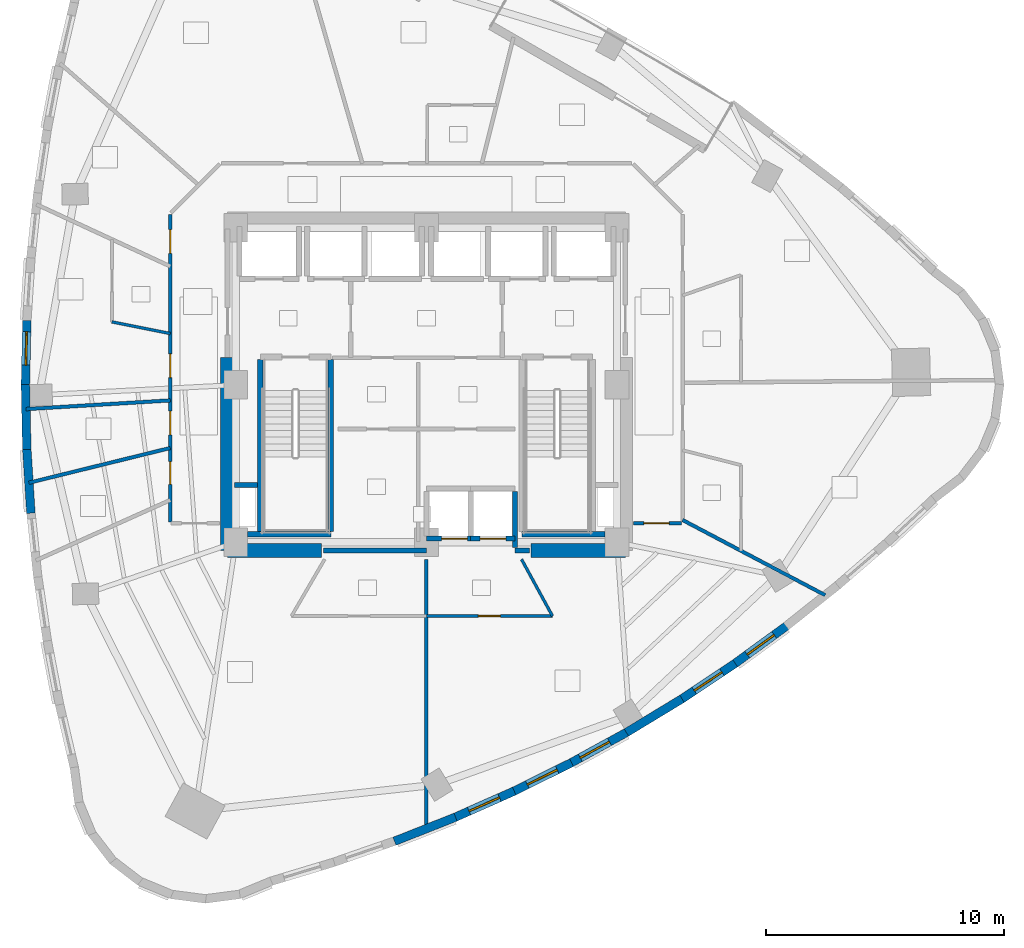
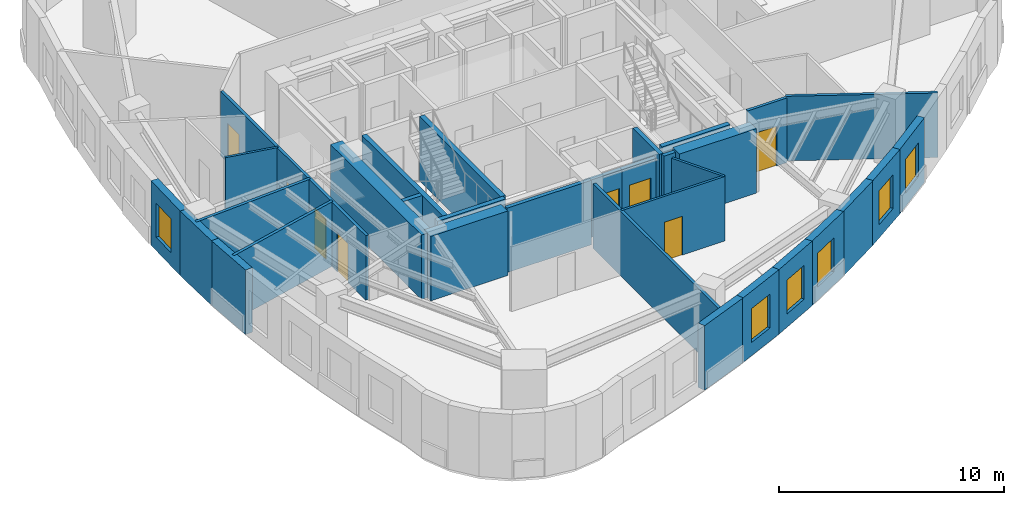
# One storey, part 7 of 13: 32 walls, 8 doors, 6 windows, 14 openings.
"""IFC4 building model written with IfcOpenShell, lengths in metres."""

import ifcopenshell
import ifcopenshell.guid

model = None  # the IFC model being written
_history = None  # IfcOwnerHistory: only IFC2X3 demands one
_inside = {}  # id of a spatial element -> (the spatial element, [elements in it])
_under = {}  # id of a project, library or spatial element -> (it, [spatial elements below it])
_declared = {}  # id of a project -> (the project, [libraries it declares])
_typed = {}  # id of a type object -> (the type object, [elements of that type])
_made_of = {}  # id of a material, layer set ... -> (it, [elements and type objects made of it])


def new_model(schema):
    """Start an empty IFC model of exactly this schema.

    Asked for "IFC4X3", IfcOpenShell would pick the latest addendum, in which some entities
    have other attributes; the version numbers below select the first issue.
    IFC2X3 requires an IfcOwnerHistory on every rooted entity: one is made here for all.
    """
    global model, _history
    if schema == "IFC4X3":
        model = ifcopenshell.file(schema_version=(4, 3, 0, 0))
    else:
        model = ifcopenshell.file(schema=schema)
    _inside.clear()
    _under.clear()
    _declared.clear()
    _typed.clear()
    _made_of.clear()
    _history = None
    if model.schema == "IFC2X3":
        org = make("IfcOrganization", Name="unknown")
        user = make(
            "IfcPersonAndOrganization",
            ThePerson=make("IfcPerson", FamilyName="unknown"),
            TheOrganization=org,
        )
        app = make(
            "IfcApplication",
            ApplicationDeveloper=org,
            Version="unknown",
            ApplicationFullName="unknown",
            ApplicationIdentifier="unknown",
        )
        _history = make(
            "IfcOwnerHistory",
            OwningUser=user,
            OwningApplication=app,
            ChangeAction="ADDED",
            CreationDate=0,
        )
    return model


def make(cls, **values):
    """One entity of the class cls with the attributes given. An attribute that is None is left unset."""
    return model.create_entity(
        cls, **{name: value for name, value in values.items() if value is not None}
    )


def rooted(cls, **values):
    """An entity with a GlobalId (a new one), such as an element, a storey or a relation."""
    return make(cls, GlobalId=ifcopenshell.guid.new(), OwnerHistory=_history, **values)


def si_unit(unit_type, name, prefix=None):
    """IfcSIUnit, for example si_unit("LENGTHUNIT", "METRE", prefix="MILLI")."""
    return make("IfcSIUnit", UnitType=unit_type, Prefix=prefix, Name=name)


def assignment(units):
    """IfcUnitAssignment: the units of a project."""
    return None if units is None else make("IfcUnitAssignment", Units=units)


def point(xyz):
    """IfcCartesianPoint."""
    return None if xyz is None else make("IfcCartesianPoint", Coordinates=xyz)


def direction(xyz):
    """IfcDirection."""
    return None if xyz is None else make("IfcDirection", DirectionRatios=xyz)


def frame(location, z_axis=None, x_axis=None):
    """IfcAxis2Placement3D, a coordinate frame: its origin and axes. An axis left out is left unset."""
    return make(
        "IfcAxis2Placement3D",
        Location=point(location),
        Axis=direction(z_axis),
        RefDirection=direction(x_axis),
    )


def frame_2d(location, x_axis=None):
    """IfcAxis2Placement2D, a coordinate frame in the plane: its origin and x axis."""
    return make(
        "IfcAxis2Placement2D", Location=point(location), RefDirection=direction(x_axis)
    )


def origin():
    """The frame at (0, 0, 0) with its axes left unset."""
    return frame((0.0, 0.0, 0.0))


def place(relative_to, where):
    """IfcLocalPlacement: puts the frame where relative to a parent placement (None: the world)."""
    return make(
        "IfcLocalPlacement", PlacementRelTo=relative_to, RelativePlacement=where
    )


def context(
    kind, dimensions, precision=None, world=None, true_north=None, identifier=None
):
    """IfcGeometricRepresentationContext, for example the 3D "Model" context."""
    return make(
        "IfcGeometricRepresentationContext",
        ContextIdentifier=identifier,
        ContextType=kind,
        CoordinateSpaceDimension=dimensions,
        Precision=precision,
        WorldCoordinateSystem=world,
        TrueNorth=true_north,
    )


def subcontext(parent, identifier, kind, view, scale=None):
    """IfcGeometricRepresentationSubContext, for example "Body" below "Model"."""
    return make(
        "IfcGeometricRepresentationSubContext",
        ContextIdentifier=identifier,
        ContextType=kind,
        ParentContext=parent,
        TargetScale=scale,
        TargetView=view,
    )


def project(units=None, contexts=None):
    """IfcProject with its units and contexts."""
    return rooted(
        "IfcProject",
        Name="project",
        RepresentationContexts=contexts,
        UnitsInContext=assignment(units),
    )


def spatial(cls, under=None, at=None, **own):
    """A site, building, storey or space (cls), placed at a placement, below another one or the project."""
    s = rooted(cls, ObjectPlacement=at, **own)
    if under is not None:
        _under.setdefault(under.id(), (under, []))[1].append(s)
    return s


def profile(cls, at=None, kind="AREA", **sizes):
    """A parametric profile (cls). Its sizes go by their IFC names, for example OverallWidth=200.0."""
    return make(cls, ProfileType=kind, Position=at, **sizes)


def rectangle(**sizes):
    """IfcRectangleProfileDef."""
    return profile("IfcRectangleProfileDef", **sizes)


def extrude(swept, where, along, depth):
    """IfcExtrudedAreaSolid: the profile swept, set in the frame where, extruded along a direction by depth."""
    return make(
        "IfcExtrudedAreaSolid",
        SweptArea=swept,
        Position=where,
        ExtrudedDirection=direction(along),
        Depth=depth,
    )


def shape(context_of_items, identifier, shape_type, items):
    """IfcShapeRepresentation: the items that make up one representation, for example the "Body"."""
    return make(
        "IfcShapeRepresentation",
        ContextOfItems=context_of_items,
        RepresentationIdentifier=identifier,
        RepresentationType=shape_type,
        Items=items,
    )


def material(Name=None, Category=None):
    """IfcMaterial."""
    return make("IfcMaterial", Name=Name, Category=Category)


def layer(
    of_material, thickness, ventilated=None, Name=None, Category=None, Priority=None
):
    """IfcMaterialLayer: one layer of a wall or slab, of a material (None: an air gap)."""
    return make(
        "IfcMaterialLayer",
        Material=of_material,
        LayerThickness=thickness,
        IsVentilated=ventilated,
        Name=Name,
        Category=Category,
        Priority=Priority,
    )


def layer_set(layers, Name=None):
    """IfcMaterialLayerSet."""
    return make("IfcMaterialLayerSet", MaterialLayers=layers, LayerSetName=Name)


def made_of(thing, what):
    """Note that an element or type object is made of a material, layer set ...; save() writes the relation."""
    if what is not None:
        _made_of.setdefault(what.id(), (what, []))[1].append(thing)
    return thing


def type_object(cls, material=None, **own):
    """A type object (cls), such as IfcWallType, which elements share."""
    return made_of(rooted(cls, **own), material)


def element(
    cls,
    number,
    at=None,
    inside=None,
    cuts=None,
    type_object=None,
    material=None,
    context=None,
    identifier="Body",
    shape_type=None,
    held_by="IfcProductDefinitionShape",
    body=None,
    shapes=None,
    **own,
):
    """One element of the class cls, such as IfcWall. Its Tag is "e" and its number.

    at: its placement. inside: the storey or other place that contains it. cuts: it is an
    opening in that element (IfcRelVoidsElement). A single representation is given by context,
    identifier, shape_type and body (its items); several are given by shapes. held_by: the class
    of the entity that holds the representations. save() writes the other relations.
    """
    e = rooted(cls, Tag="e%d" % number, ObjectPlacement=at, **own)
    if body is not None:
        shapes = [shape(context, identifier, shape_type, body)]
    if shapes is not None:
        e.Representation = make(held_by, Representations=shapes)
    if inside is not None:
        _inside.setdefault(inside.id(), (inside, []))[1].append(e)
    if cuts is not None:
        rooted(
            "IfcRelVoidsElement", RelatingBuildingElement=cuts, RelatedOpeningElement=e
        )
    if type_object is not None:
        _typed.setdefault(type_object.id(), (type_object, []))[1].append(e)
    return made_of(e, material)


def fill(opening, filler):
    """IfcRelFillsElement: the door or window that sits in an opening."""
    return rooted(
        "IfcRelFillsElement",
        RelatingOpeningElement=opening,
        RelatedBuildingElement=filler,
    )


def aggregate(whole, parts):
    """IfcRelAggregates: a whole, such as a stair, and the parts it consists of."""
    return rooted("IfcRelAggregates", RelatingObject=whole, RelatedObjects=parts)


def save(model, path):
    """Write the relations noted so far, then the file.

    IfcRelAggregates (storeys below a building ...), IfcRelContainedInSpatialStructure (elements
    in a storey), IfcRelDefinesByType, IfcRelAssociatesMaterial and IfcRelDeclares: one each for
    every whole, place, type object, material and project.
    """
    for whole, parts in _under.values():
        aggregate(whole, parts)
    for where, things in _inside.values():
        rooted(
            "IfcRelContainedInSpatialStructure",
            RelatedElements=things,
            RelatingStructure=where,
        )
    for kind, things in _typed.values():
        rooted("IfcRelDefinesByType", RelatedObjects=things, RelatingType=kind)
    for what, things in _made_of.values():
        rooted("IfcRelAssociatesMaterial", RelatedObjects=things, RelatingMaterial=what)
    for by, libraries in _declared.values():
        rooted("IfcRelDeclares", RelatingContext=by, RelatedDefinitions=libraries)
    model.write(path)


model = new_model("IFC4")

# Units and contexts
model_context = context("Model", 3, precision=1e-05, world=origin(), true_north=direction((0.0, 1.0)))
body_context = subcontext(model_context, "Body", "Model", "MODEL_VIEW")
ifc_project = project(units=[si_unit("LENGTHUNIT", "METRE"), si_unit("AREAUNIT", "SQUARE_METRE"), si_unit("VOLUMEUNIT", "CUBIC_METRE"), si_unit("PLANEANGLEUNIT", "RADIAN"), si_unit("MASSUNIT", "GRAM", prefix="KILO")], contexts=[model_context])

# Site, building, storey
site_placement = place(None, origin())
site = spatial("IfcSite", under=ifc_project, at=site_placement, CompositionType="ELEMENT")
building_placement = place(site_placement, origin())
building = spatial("IfcBuilding", under=site, at=building_placement, Name="Ndelora Gate Hotel", CompositionType="ELEMENT")
storey_placement = place(building_placement, frame((0.0, 0.0, 123.5)))
storey = spatial("IfcBuildingStorey", under=building, at=storey_placement, Name="L30", CompositionType="ELEMENT", Elevation=123.5)

# Wall, opening, window
ifc_material_1 = material(Name="Clay Brick Masonry", Category="masonry")
ifc_layer_1 = layer(ifc_material_1, 0.360107421875)
ifc_layer_set_1 = layer_set([ifc_layer_1], Name="Clay Brick Masonry")
wall_type_1 = type_object("IfcWallType", Name="WL-BRICK-360", PredefinedType="SOLIDWALL", material=ifc_layer_set_1)
wall_1_placement = place(storey_placement, frame((-16.830810546875, -0.02490234375, 0.0), z_axis=(0.0, 0.0, 1.0), x_axis=(0.021286998628, 0.999773406172, 0.0)))
wall_1 = element("IfcWall", 1, at=wall_1_placement, inside=storey, type_object=wall_type_1, Name="L30 Tower Brick Pier-and-Spandrel Wall TWR-14", PredefinedType="SOLIDWALL", context=body_context, shape_type="SweptSolid", body=[
    extrude(rectangle(XDim=2.729736328125, YDim=0.360107421875, at=frame_2d((1.36474609375, 0.0))), origin(), (0.0, 0.0, 1.0), 3.5),
])
opening_1_placement = place(wall_1_placement, frame((0.860107421875, 0.0, 0.719970703125)))
opening_1 = element("IfcOpeningElement", 2, at=opening_1_placement, cuts=wall_1, Name="Opening W02", PredefinedType="OPENING", context=body_context, shape_type="SweptSolid", body=[
    extrude(rectangle(XDim=1.39990234375, YDim=1.840087890625, at=frame_2d((0.699951171875, 0.919921875))), frame((0.0, 0.18994140625, 0.0), z_axis=(0.0, -1.0, 0.0), x_axis=(1.0, 0.0, 0.0)), (0.0, 0.0, 1.0), 0.380126953125),
])
ifc_material_2 = material(Name="Insulated Low-E Double Glazing in Bronze Aluminium Frame", Category="aluminium")
window_type = type_object("IfcWindowType", Name="WN-DEEP-1400", PartitioningType="SINGLE_PANEL", PredefinedType="WINDOW", material=ifc_material_2)
window_1_placement = place(opening_1_placement, origin())
window_1 = element("IfcWindow", 3, at=window_1_placement, inside=storey, type_object=window_type, Name="L30 Deep-Set Brick-Pier Window W02", OverallHeight=1.840087890625, OverallWidth=1.39990234375, PartitioningType="SINGLE_PANEL", PredefinedType="WINDOW", context=body_context, shape_type="SweptSolid", body=[
    extrude(rectangle(XDim=1.39990234375, YDim=1.840087890625, at=frame_2d((0.699951171875, 0.919921875))), frame((0.0, 0.030029296875, 0.0), z_axis=(0.0, -1.0, 0.0), x_axis=(1.0, 0.0, 0.0)), (0.0, 0.0, 1.0), 0.06005859375),
])
fill(opening_1, window_1)

# Walls
wall_2_placement = place(storey_placement, frame((-16.772705078125, -2.7041015625, 0.0), z_axis=(0.0, 0.0, 1.0), x_axis=(-0.021286998628, 0.999773406172, 0.0)))
element("IfcWall", 4, at=wall_2_placement, inside=storey, type_object=wall_type_1, Name="L30 Tower Brick Pier-and-Spandrel Wall TWR-15", PredefinedType="SOLIDWALL", context=body_context, shape_type="SweptSolid", body=[
    extrude(rectangle(XDim=2.729736328125, YDim=0.360107421875, at=frame_2d((1.36474609375, 0.0))), origin(), (0.0, 0.0, 1.0), 3.5),
])
wall_3_placement = place(storey_placement, frame((-16.600830078125, -5.3828125, 0.0), z_axis=(0.0, 0.0, 1.0), x_axis=(-0.063662313476, 0.99797149751, 0.0)))
element("IfcWall", 5, at=wall_3_placement, inside=storey, type_object=wall_type_1, Name="L30 Tower Brick Pier-and-Spandrel Wall TWR-16", PredefinedType="SOLIDWALL", context=body_context, shape_type="SweptSolid", body=[
    extrude(rectangle(XDim=2.734375, YDim=0.360107421875, at=frame_2d((1.3671875, 0.0))), origin(), (0.0, 0.0, 1.0), 3.5),
])
wall_4_placement = place(storey_placement, frame((1.221923828125, -18.140625, 0.0), z_axis=(0.0, 0.0, 1.0), x_axis=(-0.930175900813, -0.367114142395, 0.0)))
element("IfcWall", 6, at=wall_4_placement, inside=storey, type_object=wall_type_1, Name="L30 Tower Brick Pier-and-Spandrel Wall TWR-31", PredefinedType="SOLIDWALL", context=body_context, shape_type="SweptSolid", body=[
    extrude(rectangle(XDim=2.758544921875, YDim=0.360107421875, at=frame_2d((1.37939453125, 0.0))), origin(), (0.0, 0.0, 1.0), 3.5),
])

# Wall, opening, window
wall_5_placement = place(storey_placement, frame((3.68408203125, -17.046875, 0.0), z_axis=(0.0, 0.0, 1.0), x_axis=(-0.914049860102, -0.405601840783, 0.0)))
wall_5 = element("IfcWall", 7, at=wall_5_placement, inside=storey, type_object=wall_type_1, Name="L30 Tower Brick Pier-and-Spandrel Wall TWR-32", PredefinedType="SOLIDWALL", context=body_context, shape_type="SweptSolid", body=[
    extrude(rectangle(XDim=2.744140625, YDim=0.360107421875, at=frame_2d((1.3720703125, 0.0))), origin(), (0.0, 0.0, 1.0), 3.5),
])
opening_2_placement = place(wall_5_placement, frame((0.672119140625, 0.0, 0.719970703125)))
opening_2 = element("IfcOpeningElement", 8, at=opening_2_placement, cuts=wall_5, Name="Opening W02", PredefinedType="OPENING", context=body_context, shape_type="SweptSolid", body=[
    extrude(rectangle(XDim=1.39990234375, YDim=1.840087890625, at=frame_2d((0.699951171875, 0.919921875))), frame((0.0, 0.18994140625, 0.0), z_axis=(0.0, -1.0, 0.0), x_axis=(1.0, 0.0, 0.0)), (0.0, 0.0, 1.0), 0.380126953125),
])
window_2_placement = place(opening_2_placement, origin())
window_2 = element("IfcWindow", 9, at=window_2_placement, inside=storey, type_object=window_type, Name="L30 Deep-Set Brick-Pier Window W02", OverallHeight=1.840087890625, OverallWidth=1.39990234375, PartitioningType="SINGLE_PANEL", PredefinedType="WINDOW", context=body_context, shape_type="SweptSolid", body=[
    extrude(rectangle(XDim=1.39990234375, YDim=1.840087890625, at=frame_2d((0.699951171875, 0.919921875))), frame((0.0, 0.030029296875, 0.0), z_axis=(0.0, -1.0, 0.0), x_axis=(1.0, 0.0, 0.0)), (0.0, 0.0, 1.0), 0.06005859375),
])
fill(opening_2, window_2)

wall_6_placement = place(storey_placement, frame((6.089111328125, -15.8544921875, 0.0), z_axis=(0.0, 0.0, 1.0), x_axis=(-0.896117102505, -0.443817686216, 0.0)))
wall_6 = element("IfcWall", 10, at=wall_6_placement, inside=storey, type_object=wall_type_1, Name="L30 Tower Brick Pier-and-Spandrel Wall TWR-33", PredefinedType="SOLIDWALL", context=body_context, shape_type="SweptSolid", body=[
    extrude(rectangle(XDim=2.734619140625, YDim=0.360107421875, at=frame_2d((1.3671875, 0.0))), origin(), (0.0, 0.0, 1.0), 3.5),
])
opening_3_placement = place(wall_6_placement, frame((0.667236328125, 0.0, 0.719970703125)))
opening_3 = element("IfcOpeningElement", 11, at=opening_3_placement, cuts=wall_6, Name="Opening W02", PredefinedType="OPENING", context=body_context, shape_type="SweptSolid", body=[
    extrude(rectangle(XDim=1.39990234375, YDim=1.840087890625, at=frame_2d((0.699951171875, 0.919921875))), frame((0.0, 0.18994140625, 0.0), z_axis=(0.0, -1.0, 0.0), x_axis=(1.0, 0.0, 0.0)), (0.0, 0.0, 1.0), 0.380126953125),
])
window_3_placement = place(opening_3_placement, origin())
window_3 = element("IfcWindow", 12, at=window_3_placement, inside=storey, type_object=window_type, Name="L30 Deep-Set Brick-Pier Window W02", OverallHeight=1.840087890625, OverallWidth=1.39990234375, PartitioningType="SINGLE_PANEL", PredefinedType="WINDOW", context=body_context, shape_type="SweptSolid", body=[
    extrude(rectangle(XDim=1.39990234375, YDim=1.840087890625, at=frame_2d((0.699951171875, 0.919921875))), frame((0.0, 0.030029296875, 0.0), z_axis=(0.0, -1.0, 0.0), x_axis=(1.0, 0.0, 0.0)), (0.0, 0.0, 1.0), 0.06005859375),
])
fill(opening_3, window_3)

wall_7_placement = place(storey_placement, frame((8.43701171875, -14.5634765625, 0.0), z_axis=(0.0, 0.0, 1.0), x_axis=(-0.876497150166, -0.481407047882, 0.0)))
wall_7 = element("IfcWall", 13, at=wall_7_placement, inside=storey, type_object=wall_type_1, Name="L30 Tower Brick Pier-and-Spandrel Wall TWR-34", PredefinedType="SOLIDWALL", context=body_context, shape_type="SweptSolid", body=[
    extrude(rectangle(XDim=2.7294921875, YDim=0.360107421875, at=frame_2d((1.36474609375, 0.0))), origin(), (0.0, 0.0, 1.0), 3.5),
])
opening_4_placement = place(wall_7_placement, frame((0.860107421875, 0.0, 0.719970703125)))
opening_4 = element("IfcOpeningElement", 14, at=opening_4_placement, cuts=wall_7, Name="Opening W02", PredefinedType="OPENING", context=body_context, shape_type="SweptSolid", body=[
    extrude(rectangle(XDim=1.39990234375, YDim=1.840087890625, at=frame_2d((0.699951171875, 0.919921875))), frame((0.0, 0.18994140625, 0.0), z_axis=(0.0, -1.0, 0.0), x_axis=(1.0, 0.0, 0.0)), (0.0, 0.0, 1.0), 0.380126953125),
])
window_4_placement = place(opening_4_placement, origin())
window_4 = element("IfcWindow", 15, at=window_4_placement, inside=storey, type_object=window_type, Name="L30 Deep-Set Brick-Pier Window W02", OverallHeight=1.840087890625, OverallWidth=1.39990234375, PartitioningType="SINGLE_PANEL", PredefinedType="WINDOW", context=body_context, shape_type="SweptSolid", body=[
    extrude(rectangle(XDim=1.39990234375, YDim=1.840087890625, at=frame_2d((0.699951171875, 0.919921875))), frame((0.0, 0.030029296875, 0.0), z_axis=(0.0, -1.0, 0.0), x_axis=(1.0, 0.0, 0.0)), (0.0, 0.0, 1.0), 0.06005859375),
])
fill(opening_4, window_4)

# Wall
wall_8_placement = place(storey_placement, frame((10.72802734375, -13.173583984375, 0.0), z_axis=(0.0, 0.0, 1.0), x_axis=(-0.855179809963, -0.518331450553, 0.0)))
element("IfcWall", 16, at=wall_8_placement, inside=storey, type_object=wall_type_1, Name="L30 Tower Brick Pier-and-Spandrel Wall TWR-35", PredefinedType="SOLIDWALL", context=body_context, shape_type="SweptSolid", body=[
    extrude(rectangle(XDim=2.7294921875, YDim=0.360107421875, at=frame_2d((1.36474609375, 0.0))), origin(), (0.0, 0.0, 1.0), 3.5),
])

# Wall, opening, window
wall_9_placement = place(storey_placement, frame((12.962158203125, -11.685302734375, 0.0), z_axis=(0.0, 0.0, 1.0), x_axis=(-0.832462133921, -0.554081939416, 0.0)))
wall_9 = element("IfcWall", 17, at=wall_9_placement, inside=storey, type_object=wall_type_1, Name="L30 Tower Brick Pier-and-Spandrel Wall TWR-36", PredefinedType="SOLIDWALL", context=body_context, shape_type="SweptSolid", body=[
    extrude(rectangle(XDim=2.734619140625, YDim=0.360107421875, at=frame_2d((1.3671875, 0.0))), origin(), (0.0, 0.0, 1.0), 3.5),
])
opening_5_placement = place(wall_9_placement, frame((0.667236328125, 0.0, 0.719970703125)))
opening_5 = element("IfcOpeningElement", 18, at=opening_5_placement, cuts=wall_9, Name="Opening W02", PredefinedType="OPENING", context=body_context, shape_type="SweptSolid", body=[
    extrude(rectangle(XDim=1.39990234375, YDim=1.840087890625, at=frame_2d((0.699951171875, 0.919921875))), frame((0.0, 0.18994140625, 0.0), z_axis=(0.0, -1.0, 0.0), x_axis=(1.0, 0.0, 0.0)), (0.0, 0.0, 1.0), 0.380126953125),
])
window_5_placement = place(opening_5_placement, origin())
window_5 = element("IfcWindow", 19, at=window_5_placement, inside=storey, type_object=window_type, Name="L30 Deep-Set Brick-Pier Window W02", OverallHeight=1.840087890625, OverallWidth=1.39990234375, PartitioningType="SINGLE_PANEL", PredefinedType="WINDOW", context=body_context, shape_type="SweptSolid", body=[
    extrude(rectangle(XDim=1.39990234375, YDim=1.840087890625, at=frame_2d((0.699951171875, 0.919921875))), frame((0.0, 0.030029296875, 0.0), z_axis=(0.0, -1.0, 0.0), x_axis=(1.0, 0.0, 0.0)), (0.0, 0.0, 1.0), 0.06005859375),
])
fill(opening_5, window_5)

wall_10_placement = place(storey_placement, frame((15.13916015625, -10.098388671875, 0.0), z_axis=(0.0, 0.0, 1.0), x_axis=(-0.808324203432, -0.588737617403, 0.0)))
wall_10 = element("IfcWall", 20, at=wall_10_placement, inside=storey, type_object=wall_type_1, Name="L30 Tower Brick Pier-and-Spandrel Wall TWR-37", PredefinedType="SOLIDWALL", context=body_context, shape_type="SweptSolid", body=[
    extrude(rectangle(XDim=2.743896484375, YDim=0.360107421875, at=frame_2d((1.3720703125, 0.0))), origin(), (0.0, 0.0, 1.0), 3.5),
])
opening_6_placement = place(wall_10_placement, frame((0.672119140625, 0.0, 0.719970703125)))
opening_6 = element("IfcOpeningElement", 21, at=opening_6_placement, cuts=wall_10, Name="Opening W02", PredefinedType="OPENING", context=body_context, shape_type="SweptSolid", body=[
    extrude(rectangle(XDim=1.39990234375, YDim=1.840087890625, at=frame_2d((0.699951171875, 0.919921875))), frame((0.0, 0.18994140625, 0.0), z_axis=(0.0, -1.0, 0.0), x_axis=(1.0, 0.0, 0.0)), (0.0, 0.0, 1.0), 0.380126953125),
])
window_6_placement = place(opening_6_placement, origin())
window_6 = element("IfcWindow", 22, at=window_6_placement, inside=storey, type_object=window_type, Name="L30 Deep-Set Brick-Pier Window W02", OverallHeight=1.840087890625, OverallWidth=1.39990234375, PartitioningType="SINGLE_PANEL", PredefinedType="WINDOW", context=body_context, shape_type="SweptSolid", body=[
    extrude(rectangle(XDim=1.39990234375, YDim=1.840087890625, at=frame_2d((0.699951171875, 0.919921875))), frame((0.0, 0.030029296875, 0.0), z_axis=(0.0, -1.0, 0.0), x_axis=(1.0, 0.0, 0.0)), (0.0, 0.0, 1.0), 0.06005859375),
])
fill(opening_6, window_6)

# Walls
ifc_material_3 = material(Name="Concrete C60/75", Category="concrete")
ifc_layer_2 = layer(ifc_material_3, 0.60009765625)
ifc_layer_set_2 = layer_set([ifc_layer_2], Name="Concrete C60/75")
wall_type_2 = type_object("IfcWallType", Name="WL-CORE-600", PredefinedType="SHEAR", material=ifc_layer_set_2)
for number, where, z_axis, x_axis, name in (
    (23, (-8.35009765625, -6.949951171875, 0.0), (0.0, 0.0, 1.0), (1.0, 0.0, 0.0), "L30 Core Shear Wall S-W"),
    (24, (4.39990234375, -6.949951171875, 0.0), (0.0, 0.0, 1.0), (1.0, 0.0, 0.0), "L30 Core Shear Wall S-E"),
):
    element("IfcWall", number, at=place(storey_placement, frame(where, z_axis=z_axis, x_axis=x_axis)), inside=storey, type_object=wall_type_2, Name=name, PredefinedType="SHEAR", context=body_context, shape_type="SweptSolid", body=[
        extrude(rectangle(XDim=3.9501953125, YDim=0.60009765625, at=frame_2d((1.97509765625, 0.0))), origin(), (0.0, 0.0, 1.0), 3.5),
    ])
wall_11_placement = place(storey_placement, frame((-8.35009765625, -6.949951171875, 0.0), z_axis=(0.0, 0.0, 1.0), x_axis=(0.0, 1.0, 0.0)))
element("IfcWall", 25, at=wall_11_placement, inside=storey, type_object=wall_type_2, Name="L30 Core Shear Wall W", PredefinedType="SHEAR", context=body_context, shape_type="SweptSolid", body=[
    extrude(rectangle(XDim=8.099853515625, YDim=0.60009765625, at=frame_2d((4.0498046875, 0.0))), origin(), (0.0, 0.0, 1.0), 3.5),
])
ifc_material_4 = material(Name="Concrete C40/50", Category="concrete")
ifc_layer_3 = layer(ifc_material_4, 0.199951171875)
ifc_layer_set_3 = layer_set([ifc_layer_3], Name="Concrete C40/50")
wall_type_3 = type_object("IfcWallType", Name="WL-FIRE-200", PredefinedType="PARTITIONING", material=ifc_layer_set_3)
wall_12_placement = place(storey_placement, frame((-4.320068359375, -6.949951171875, 0.0), z_axis=(0.0, 0.0, 1.0), x_axis=(1.0, 0.0, 0.0)))
element("IfcWall", 26, at=wall_12_placement, inside=storey, type_object=wall_type_3, Name="L30 Interior Wall IW-2", PredefinedType="PARTITIONING", context=body_context, shape_type="SweptSolid", body=[
    extrude(rectangle(XDim=4.320068359375, YDim=0.199951171875, at=frame_2d((2.16015625, 0.0))), origin(), (0.0, 0.0, 1.0), 3.5),
])
wall_13_placement = place(storey_placement, frame((3.719970703125, -6.949951171875, 0.0), z_axis=(0.0, 0.0, 1.0), x_axis=(1.0, 0.0, 0.0)))
element("IfcWall", 27, at=wall_13_placement, inside=storey, type_object=wall_type_3, Name="L30 Interior Wall IW-2", PredefinedType="PARTITIONING", context=body_context, shape_type="SweptSolid", body=[
    extrude(rectangle(XDim=0.60009765625, YDim=0.199951171875, at=frame_2d((0.300048828125, 0.0))), origin(), (0.0, 0.0, 1.0), 3.5),
])

# Wall, opening, door
ifc_material_5 = material(Name="Fire-Rated Gypsum Stud Partition", Category="gypsum")
ifc_layer_4 = layer(ifc_material_5, 0.14990234375)
ifc_layer_set_4 = layer_set([ifc_layer_4], Name="Fire-Rated Gypsum Stud Partition")
wall_type_4 = type_object("IfcWallType", Name="WL-PART-150", PredefinedType="PARTITIONING", material=ifc_layer_set_4)
wall_14_placement = place(storey_placement, frame((10.7099609375, -5.800048828125, 0.0), z_axis=(0.0, 0.0, 1.0), x_axis=(-1.0, 0.0, 0.0)))
wall_14 = element("IfcWall", 28, at=wall_14_placement, inside=storey, type_object=wall_type_4, Name="L30 Interior Wall IW-5", PredefinedType="PARTITIONING", context=body_context, shape_type="SweptSolid", body=[
    extrude(rectangle(XDim=2.02001953125, YDim=0.14990234375, at=frame_2d((1.010009765625, 0.0))), origin(), (0.0, 0.0, 1.0), 3.5),
])
opening_7_placement = place(wall_14_placement, frame((0.52001953125, 0.0, 0.0)))
opening_7 = element("IfcOpeningElement", 29, at=opening_7_placement, cuts=wall_14, Name="Opening D07", PredefinedType="OPENING", context=body_context, shape_type="SweptSolid", body=[
    extrude(rectangle(XDim=1.06005859375, YDim=2.14990234375, at=frame_2d((0.530029296875, 1.074951171875))), frame((0.0, 0.0849609375, 0.0), z_axis=(0.0, -1.0, 0.0), x_axis=(1.0, 0.0, 0.0)), (0.0, 0.0, 1.0), 0.169921875),
])
ifc_material_6 = material(Name="Diplomatic Suite Acoustic Entrance Door", Category="wood")
door_type_1 = type_object("IfcDoorType", Name="DR-SUITE-1060", OperationType="SINGLE_SWING_LEFT", PredefinedType="DOOR", material=ifc_material_6)
door_1_placement = place(opening_7_placement, origin())
door_1 = element("IfcDoor", 30, at=door_1_placement, inside=storey, type_object=door_type_1, Name="L30 Club King Corner Suite 3302 Entrance Door", OperationType="SINGLE_SWING_RIGHT", OverallHeight=2.14990234375, OverallWidth=1.06005859375, PredefinedType="DOOR", context=body_context, shape_type="SweptSolid", body=[
    extrude(rectangle(XDim=1.06005859375, YDim=2.14990234375, at=frame_2d((0.530029296875, 1.074951171875))), frame((0.0, 0.02490234375, 0.0), z_axis=(0.0, -1.0, 0.0), x_axis=(1.0, 0.0, 0.0)), (0.0, 0.0, 1.0), 0.050048828125),
])
fill(opening_7, door_1)

# Wall, openings, doors
wall_15_placement = place(storey_placement, frame((-10.75, -5.760009765625, 0.0), z_axis=(0.0, 0.0, 1.0), x_axis=(0.0, 1.0, 0.0)))
wall_15 = element("IfcWall", 31, at=wall_15_placement, inside=storey, type_object=wall_type_4, Name="L30 Interior Wall IW-5", PredefinedType="PARTITIONING", context=body_context, shape_type="SweptSolid", body=[
    extrude(rectangle(XDim=12.919921875, YDim=0.14990234375, at=frame_2d((6.4599609375, 0.0))), origin(), (0.0, 0.0, 1.0), 3.5),
])
opening_8_placement = place(wall_15_placement, frame((3.660400390625, 0.0, 0.0)))
opening_8 = element("IfcOpeningElement", 32, at=opening_8_placement, cuts=wall_15, Name="Opening D01", PredefinedType="OPENING", context=body_context, shape_type="SweptSolid", body=[
    extrude(rectangle(XDim=1.0, YDim=2.14990234375, at=frame_2d((0.5, 1.074951171875))), frame((0.0, 0.0849609375, 0.0), z_axis=(0.0, -1.0, 0.0), x_axis=(1.0, 0.0, 0.0)), (0.0, 0.0, 1.0), 0.169921875),
])
opening_9_placement = place(wall_15_placement, frame((1.5888671875, 0.0, 0.0)))
opening_9 = element("IfcOpeningElement", 33, at=opening_9_placement, cuts=wall_15, Name="Opening D05", PredefinedType="OPENING", context=body_context, shape_type="SweptSolid", body=[
    extrude(rectangle(XDim=0.949951171875, YDim=2.10009765625, at=frame_2d((0.47509765625, 1.050048828125))), frame((0.0, 0.0849609375, 0.0), z_axis=(0.0, -1.0, 0.0), x_axis=(1.0, 0.0, 0.0)), (0.0, 0.0, 1.0), 0.169921875),
])
opening_10_placement = place(wall_15_placement, frame((11.2783203125, 0.0, 0.0)))
opening_10 = element("IfcOpeningElement", 34, at=opening_10_placement, cuts=wall_15, Name="Opening D01", PredefinedType="OPENING", context=body_context, shape_type="SweptSolid", body=[
    extrude(rectangle(XDim=1.0, YDim=2.14990234375, at=frame_2d((0.5, 1.074951171875))), frame((0.0, 0.0849609375, 0.0), z_axis=(0.0, -1.0, 0.0), x_axis=(1.0, 0.0, 0.0)), (0.0, 0.0, 1.0), 0.169921875),
])
opening_11_placement = place(wall_15_placement, frame((6.064697265625, 0.0, 0.0)))
opening_11 = element("IfcOpeningElement", 35, at=opening_11_placement, cuts=wall_15, Name="Opening D01", PredefinedType="OPENING", context=body_context, shape_type="SweptSolid", body=[
    extrude(rectangle(XDim=1.0, YDim=2.14990234375, at=frame_2d((0.5, 1.074951171875))), frame((0.0, 0.0849609375, 0.0), z_axis=(0.0, -1.0, 0.0), x_axis=(1.0, 0.0, 0.0)), (0.0, 0.0, 1.0), 0.169921875),
])
ifc_material_7 = material(Name="Accessible Restroom Wide-Clearance Door", Category="wood")
door_type_2 = type_object("IfcDoorType", Name="DR-ACC-950", OperationType="SINGLE_SWING_LEFT", PredefinedType="DOOR", material=ifc_material_7)
door_2_placement = place(opening_9_placement, origin())
door_2 = element("IfcDoor", 36, at=door_2_placement, inside=storey, type_object=door_type_2, Name="L30 Accessible WC Entrance Door", OperationType="SINGLE_SWING_LEFT", OverallHeight=2.10009765625, OverallWidth=0.949951171875, PredefinedType="DOOR", context=body_context, shape_type="SweptSolid", body=[
    extrude(rectangle(XDim=0.949951171875, YDim=2.10009765625, at=frame_2d((0.47509765625, 1.050048828125))), frame((0.0, 0.02490234375, 0.0), z_axis=(0.0, -1.0, 0.0), x_axis=(1.0, 0.0, 0.0)), (0.0, 0.0, 1.0), 0.050048828125),
])
fill(opening_9, door_2)
ifc_material_8 = material(Name="Acoustic Hardwood Guest Entrance Door", Category="wood")
door_type_3 = type_object("IfcDoorType", Name="DR-COR-1000", OperationType="SINGLE_SWING_LEFT", PredefinedType="DOOR", material=ifc_material_8)
door_3_placement = place(opening_8_placement, origin())
door_3 = element("IfcDoor", 37, at=door_3_placement, inside=storey, type_object=door_type_3, Name="L30 Housekeeping and Linen Room Entrance Door", OperationType="SINGLE_SWING_RIGHT", OverallHeight=2.14990234375, OverallWidth=1.0, PredefinedType="DOOR", context=body_context, shape_type="SweptSolid", body=[
    extrude(rectangle(XDim=1.0, YDim=2.14990234375, at=frame_2d((0.5, 1.074951171875))), frame((0.0, 0.02490234375, 0.0), z_axis=(0.0, -1.0, 0.0), x_axis=(1.0, 0.0, 0.0)), (0.0, 0.0, 1.0), 0.050048828125),
])
fill(opening_8, door_3)
door_4_placement = place(opening_10_placement, origin())
door_4 = element("IfcDoor", 38, at=door_4_placement, inside=storey, type_object=door_type_3, Name="L30 Butler Finishing Kitchen Entrance Door", OperationType="SINGLE_SWING_LEFT", OverallHeight=2.14990234375, OverallWidth=1.0, PredefinedType="DOOR", context=body_context, shape_type="SweptSolid", body=[
    extrude(rectangle(XDim=1.0, YDim=2.14990234375, at=frame_2d((0.5, 1.074951171875))), frame((0.0, 0.02490234375, 0.0), z_axis=(0.0, -1.0, 0.0), x_axis=(1.0, 0.0, 0.0)), (0.0, 0.0, 1.0), 0.050048828125),
])
fill(opening_10, door_4)
door_5_placement = place(opening_11_placement, origin())
door_5 = element("IfcDoor", 39, at=door_5_placement, inside=storey, type_object=door_type_3, Name="L30 Club Superior Guest Room 3306 Entrance Door", OperationType="SINGLE_SWING_RIGHT", OverallHeight=2.14990234375, OverallWidth=1.0, PredefinedType="DOOR", context=body_context, shape_type="SweptSolid", body=[
    extrude(rectangle(XDim=1.0, YDim=2.14990234375, at=frame_2d((0.5, 1.074951171875))), frame((0.0, 0.02490234375, 0.0), z_axis=(0.0, -1.0, 0.0), x_axis=(1.0, 0.0, 0.0)), (0.0, 0.0, 1.0), 0.050048828125),
])
fill(opening_11, door_5)

# Walls
wall_16_placement = place(storey_placement, frame((0.0, -7.320068359375, 0.0), z_axis=(0.0, 0.0, 1.0), x_axis=(0.0, -1.0, 0.0)))
element("IfcWall", 40, at=wall_16_placement, inside=storey, type_object=wall_type_4, Name="L30 Interior Wall IW-5", PredefinedType="PARTITIONING", context=body_context, shape_type="SweptSolid", body=[
    extrude(rectangle(XDim=11.302978515625, YDim=0.14990234375, at=frame_2d((5.6513671875, 0.0))), origin(), (0.0, 0.0, 1.0), 3.5),
])
wall_17_placement = place(storey_placement, frame((10.75, -5.667724609375, 0.0), z_axis=(0.0, 0.0, 1.0), x_axis=(0.884577755421, -0.466392747172, 0.0)))
element("IfcWall", 41, at=wall_17_placement, inside=storey, type_object=wall_type_4, Name="L30 Interior Wall IW-5", PredefinedType="PARTITIONING", context=body_context, shape_type="SweptSolid", body=[
    extrude(rectangle(XDim=6.77099609375, YDim=0.14990234375, at=frame_2d((3.385498046875, 0.0))), origin(), (0.0, 0.0, 1.0), 3.5),
])
wall_18_placement = place(storey_placement, frame((-10.75, -0.6484375, 0.0), z_axis=(0.0, 0.0, 1.0), x_axis=(-0.998185459259, -0.060214524199, 0.0)))
element("IfcWall", 42, at=wall_18_placement, inside=storey, type_object=wall_type_4, Name="L30 Interior Wall IW-5", PredefinedType="PARTITIONING", context=body_context, shape_type="SweptSolid", body=[
    extrude(rectangle(XDim=6.069580078125, YDim=0.14990234375, at=frame_2d((3.03466796875, 0.0))), origin(), (0.0, 0.0, 1.0), 3.5),
])
wall_19_placement = place(storey_placement, frame((-10.75, -2.6455078125, 0.0), z_axis=(0.0, 0.0, 1.0), x_axis=(-0.97101530701, -0.239017308059, 0.0)))
element("IfcWall", 43, at=wall_19_placement, inside=storey, type_object=wall_type_4, Name="L30 Interior Wall IW-5", PredefinedType="PARTITIONING", context=body_context, shape_type="SweptSolid", body=[
    extrude(rectangle(XDim=6.109130859375, YDim=0.14990234375, at=frame_2d((3.0546875, 0.0))), origin(), (0.0, 0.0, 1.0), 3.5),
])
ifc_layer_5 = layer(ifc_material_4, 0.219970703125)
ifc_layer_set_5 = layer_set([ifc_layer_5], Name="Concrete C40/50")
wall_type_5 = type_object("IfcWallType", Name="WL-SHAFT-220", PredefinedType="PARTITIONING", material=ifc_layer_set_5)
wall_20_placement = place(storey_placement, frame((-8.050048828125, -4.199951171875, 0.0), z_axis=(0.0, 0.0, 1.0), x_axis=(1.0, 0.0, 0.0)))
element("IfcWall", 44, at=wall_20_placement, inside=storey, type_object=wall_type_5, Name="L30 Interior Wall IW-1", PredefinedType="PARTITIONING", context=body_context, shape_type="SweptSolid", body=[
    extrude(rectangle(XDim=0.9599609375, YDim=0.219970703125, at=frame_2d((0.47998046875, 0.0))), origin(), (0.0, 0.0, 1.0), 3.5),
])

# Wall, opening, door
wall_21_placement = place(storey_placement, frame((0.0, -6.449951171875, 0.0), z_axis=(0.0, 0.0, 1.0), x_axis=(1.0, 0.0, 0.0)))
wall_21 = element("IfcWall", 45, at=wall_21_placement, inside=storey, type_object=wall_type_5, Name="L30 Interior Wall IW-1", PredefinedType="PARTITIONING", context=body_context, shape_type="SweptSolid", body=[
    extrude(rectangle(XDim=1.860107421875, YDim=0.219970703125, at=frame_2d((0.93017578125, 0.0))), origin(), (0.0, 0.0, 1.0), 3.1201171875),
])
opening_12_placement = place(wall_21_placement, frame((0.639892578125, 0.0, 0.0)))
opening_12 = element("IfcOpeningElement", 46, at=opening_12_placement, cuts=wall_21, Name="Opening LD2", PredefinedType="OPENING", context=body_context, shape_type="SweptSolid", body=[
    extrude(rectangle(XDim=1.080078125, YDim=2.14990234375, at=frame_2d((0.5400390625, 1.074951171875))), frame((0.0, 0.1201171875, 0.0), z_axis=(0.0, -1.0, 0.0), x_axis=(1.0, 0.0, 0.0)), (0.0, 0.0, 1.0), 0.239990234375),
])
ifc_material_9 = material(Name="Brushed Bronze Stainless Lift Landing Door", Category="metal")
door_type_4 = type_object("IfcDoorType", Name="DR-LD2", OperationType="DOUBLE_DOOR_SLIDING", PredefinedType="DOOR", material=ifc_material_9)
door_6_placement = place(opening_12_placement, origin())
door_6 = element("IfcDoor", 47, at=door_6_placement, inside=storey, type_object=door_type_4, Name="L30 Lift Landing Sliding Door P2A", OperationType="DOUBLE_DOOR_SLIDING", OverallHeight=2.14990234375, OverallWidth=1.080078125, PredefinedType="DOOR", context=body_context, shape_type="SweptSolid", body=[
    extrude(rectangle(XDim=1.080078125, YDim=2.14990234375, at=frame_2d((0.5400390625, 1.074951171875))), frame((0.0, 0.02490234375, 0.0), z_axis=(0.0, -1.0, 0.0), x_axis=(1.0, 0.0, 0.0)), (0.0, 0.0, 1.0), 0.050048828125),
])
fill(opening_12, door_6)

wall_22_placement = place(storey_placement, frame((1.860107421875, -6.449951171875, 0.0), z_axis=(0.0, 0.0, 1.0), x_axis=(1.0, 0.0, 0.0)))
wall_22 = element("IfcWall", 48, at=wall_22_placement, inside=storey, type_object=wall_type_5, Name="L30 Interior Wall IW-1", PredefinedType="PARTITIONING", context=body_context, shape_type="SweptSolid", body=[
    extrude(rectangle(XDim=1.85986328125, YDim=0.219970703125, at=frame_2d((0.929931640625, 0.0))), origin(), (0.0, 0.0, 1.0), 3.1201171875),
])
opening_13_placement = place(wall_22_placement, frame((0.389892578125, 0.0, 0.0)))
opening_13 = element("IfcOpeningElement", 49, at=opening_13_placement, cuts=wall_22, Name="Opening LD2", PredefinedType="OPENING", context=body_context, shape_type="SweptSolid", body=[
    extrude(rectangle(XDim=1.080078125, YDim=2.14990234375, at=frame_2d((0.5400390625, 1.074951171875))), frame((0.0, 0.1201171875, 0.0), z_axis=(0.0, -1.0, 0.0), x_axis=(1.0, 0.0, 0.0)), (0.0, 0.0, 1.0), 0.239990234375),
])
door_7_placement = place(opening_13_placement, origin())
door_7 = element("IfcDoor", 50, at=door_7_placement, inside=storey, type_object=door_type_4, Name="L30 Lift Landing Sliding Door P2B", OperationType="DOUBLE_DOOR_SLIDING", OverallHeight=2.14990234375, OverallWidth=1.080078125, PredefinedType="DOOR", context=body_context, shape_type="SweptSolid", body=[
    extrude(rectangle(XDim=1.080078125, YDim=2.14990234375, at=frame_2d((0.5400390625, 1.074951171875))), frame((0.0, 0.02490234375, 0.0), z_axis=(0.0, -1.0, 0.0), x_axis=(1.0, 0.0, 0.0)), (0.0, 0.0, 1.0), 0.050048828125),
])
fill(opening_13, door_7)

# Walls
wall_23_placement = place(storey_placement, frame((3.719970703125, -6.830078125, 0.0), z_axis=(0.0, 0.0, 1.0), x_axis=(0.0, 1.0, 0.0)))
element("IfcWall", 51, at=wall_23_placement, inside=storey, type_object=wall_type_5, Name="L30 Interior Wall IW-1", PredefinedType="PARTITIONING", context=body_context, shape_type="SweptSolid", body=[
    extrude(rectangle(XDim=2.360107421875, YDim=0.219970703125, at=frame_2d((1.18017578125, 0.0))), origin(), (0.0, 0.0, 1.0), 3.5),
])
ifc_material_10 = material(Name="Concrete C50/60", Category="concrete")
ifc_layer_6 = layer(ifc_material_10, 0.239990234375)
ifc_layer_set_6 = layer_set([ifc_layer_6], Name="Concrete C50/60")
wall_type_6 = type_object("IfcWallType", Name="WL-STAIR-240", PredefinedType="SHEAR", material=ifc_layer_set_6)
wall_24_placement = place(storey_placement, frame((-6.969970703125, -6.159912109375, 0.0), z_axis=(0.0, 0.0, 1.0), x_axis=(0.0, 1.0, 0.0)))
element("IfcWall", 52, at=wall_24_placement, inside=storey, type_object=wall_type_6, Name="L30 Stair Core Shear Wall SW-ST", PredefinedType="SHEAR", context=body_context, shape_type="SweptSolid", body=[
    extrude(rectangle(XDim=7.219970703125, YDim=0.239990234375, at=frame_2d((3.60986328125, 0.0))), origin(), (0.0, 0.0, 1.0), 3.5),
])
wall_25_placement = place(storey_placement, frame((-7.5, -6.27001953125, 0.0), z_axis=(0.0, 0.0, 1.0), x_axis=(1.0, 0.0, 0.0)))
element("IfcWall", 53, at=wall_25_placement, inside=storey, type_object=wall_type_6, Name="L30 Stair Core Shear Wall SW-ST", PredefinedType="SHEAR", context=body_context, shape_type="SweptSolid", body=[
    extrude(rectangle(XDim=3.489990234375, YDim=0.239990234375, at=frame_2d((1.7451171875, 0.0))), origin(), (0.0, 0.0, 1.0), 3.5),
])
wall_26_placement = place(storey_placement, frame((-4.010009765625, -6.159912109375, 0.0), z_axis=(0.0, 0.0, 1.0), x_axis=(0.0, 1.0, 0.0)))
element("IfcWall", 54, at=wall_26_placement, inside=storey, type_object=wall_type_6, Name="L30 Stair Core Shear Wall SW-ST", PredefinedType="SHEAR", context=body_context, shape_type="SweptSolid", body=[
    extrude(rectangle(XDim=7.219970703125, YDim=0.239990234375, at=frame_2d((3.60986328125, 0.0))), origin(), (0.0, 0.0, 1.0), 3.5),
])
wall_27_placement = place(storey_placement, frame((4.010009765625, -6.27001953125, 0.0), z_axis=(0.0, 0.0, 1.0), x_axis=(1.0, 0.0, 0.0)))
element("IfcWall", 55, at=wall_27_placement, inside=storey, type_object=wall_type_6, Name="L30 Stair Core Shear Wall SW-ST", PredefinedType="SHEAR", context=body_context, shape_type="SweptSolid", body=[
    extrude(rectangle(XDim=3.489990234375, YDim=0.239990234375, at=frame_2d((1.7451171875, 0.0))), origin(), (0.0, 0.0, 1.0), 3.5),
])
ifc_material_11 = material(Name="Moisture-Resistant Bathroom Tile Partition", Category="gypsum")
ifc_layer_7 = layer(ifc_material_11, 0.1201171875)
ifc_layer_set_7 = layer_set([ifc_layer_7], Name="Moisture-Resistant Bathroom Tile Partition")
wall_type_7 = type_object("IfcWallType", Name="WL-WET-120", PredefinedType="PARTITIONING", material=ifc_layer_set_7)
wall_28_placement = place(storey_placement, frame((3.992919921875, -7.320068359375, 0.0), z_axis=(0.0, 0.0, 1.0), x_axis=(0.478915225664, -0.877861154527, 0.0)))
element("IfcWall", 56, at=wall_28_placement, inside=storey, type_object=wall_type_7, Name="L30 Interior Wall IW-7", PredefinedType="PARTITIONING", context=body_context, shape_type="SweptSolid", body=[
    extrude(rectangle(XDim=2.7109375, YDim=0.1201171875, at=frame_2d((1.35546875, 0.0))), origin(), (0.0, 0.0, 1.0), 3.5),
])

# Wall, opening, door
wall_29_placement = place(storey_placement, frame((5.291259765625, -9.699951171875, 0.0), z_axis=(0.0, 0.0, 1.0), x_axis=(-1.0, 0.0, 0.0)))
wall_29 = element("IfcWall", 57, at=wall_29_placement, inside=storey, type_object=wall_type_7, Name="L30 Interior Wall IW-7", PredefinedType="PARTITIONING", context=body_context, shape_type="SweptSolid", body=[
    extrude(rectangle(XDim=5.291259765625, YDim=0.1201171875, at=frame_2d((2.6455078125, 0.0))), origin(), (0.0, 0.0, 1.0), 3.5),
])
opening_14_placement = place(wall_29_placement, frame((2.185546875, 0.0, 0.0)))
opening_14 = element("IfcOpeningElement", 58, at=opening_14_placement, cuts=wall_29, Name="Opening D03", PredefinedType="OPENING", context=body_context, shape_type="SweptSolid", body=[
    extrude(rectangle(XDim=0.919921875, YDim=2.10009765625, at=frame_2d((0.4599609375, 1.050048828125))), frame((0.0, 0.070068359375, 0.0), z_axis=(0.0, -1.0, 0.0), x_axis=(1.0, 0.0, 0.0)), (0.0, 0.0, 1.0), 0.14013671875),
])
ifc_material_12 = material(Name="Moisture-Resistant Hardwood En-Suite Door", Category="wood")
door_type_5 = type_object("IfcDoorType", Name="DR-BATH-920", OperationType="SINGLE_SWING_LEFT", PredefinedType="DOOR", material=ifc_material_12)
door_8_placement = place(opening_14_placement, origin())
door_8 = element("IfcDoor", 59, at=door_8_placement, inside=storey, type_object=door_type_5, Name="L30 En-suite Bathroom 3302 Door", OperationType="SINGLE_SWING_LEFT", OverallHeight=2.10009765625, OverallWidth=0.919921875, PredefinedType="DOOR", context=body_context, shape_type="SweptSolid", body=[
    extrude(rectangle(XDim=0.919921875, YDim=2.10009765625, at=frame_2d((0.4599609375, 1.050048828125))), frame((0.0, 0.02490234375, 0.0), z_axis=(0.0, -1.0, 0.0), x_axis=(1.0, 0.0, 0.0)), (0.0, 0.0, 1.0), 0.050048828125),
])
fill(opening_14, door_8)

# Wall
wall_30_placement = place(storey_placement, frame((-10.75, 2.156005859375, 0.0), z_axis=(0.0, 0.0, 1.0), x_axis=(-0.980467777356, 0.196679784337, 0.0)))
element("IfcWall", 60, at=wall_30_placement, inside=storey, type_object=wall_type_7, Name="L30 Interior Wall IW-7", PredefinedType="PARTITIONING", context=body_context, shape_type="SweptSolid", body=[
    extrude(rectangle(XDim=2.498779296875, YDim=0.1201171875, at=frame_2d((1.24951171875, 0.0))), origin(), (0.0, 0.0, 1.0), 3.5),
])

save(model, "model.ifc")
